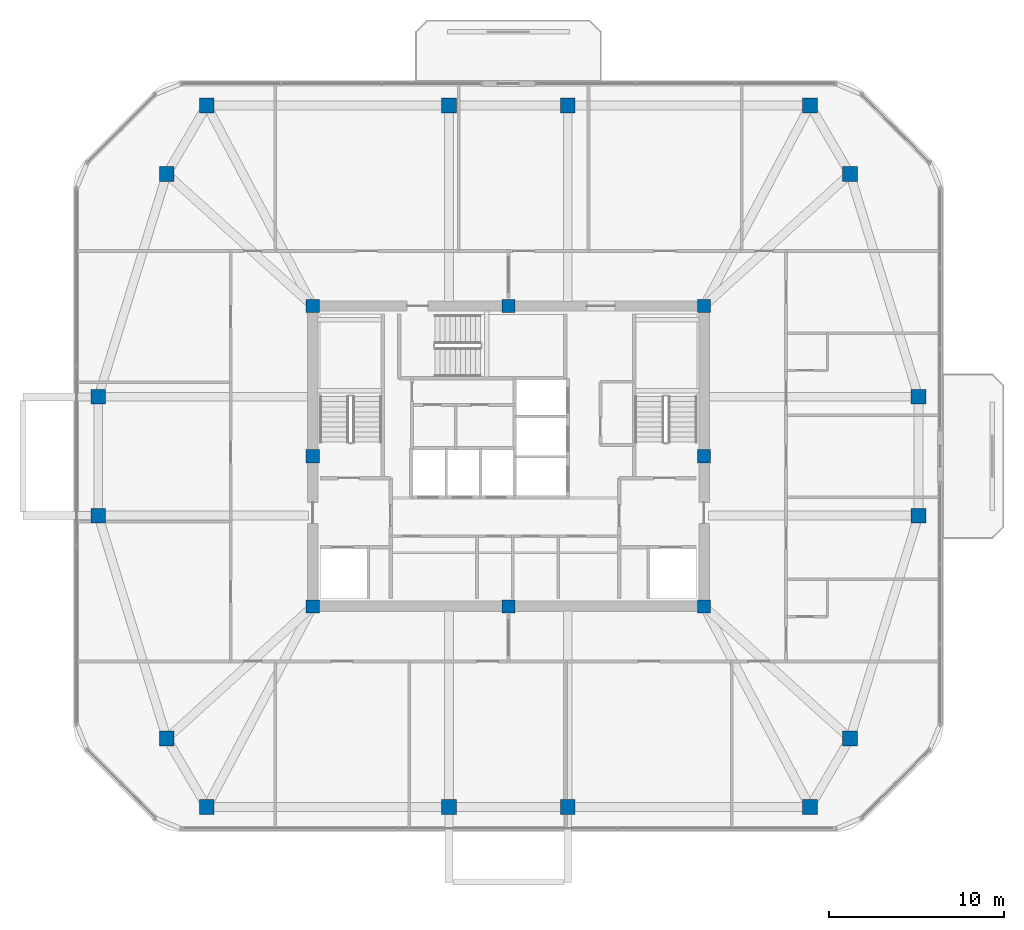
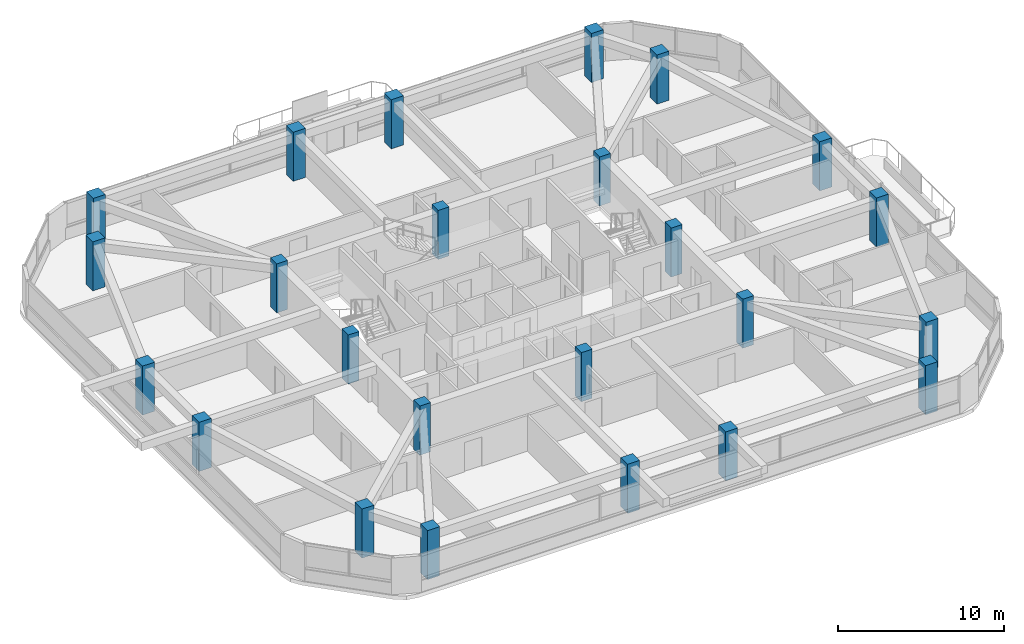
# One storey, part 1 of 14: 24 columns.
"""IFC4 building model written with IfcOpenShell, lengths in metres."""

from ifc_helpers import new_model, si_unit, derived_unit, direction, frame, origin, origin_2d, place, context, subcontext, project, spatial, rectangle, extrude, material, material_profile, profile_set, type_object, element, save


model = new_model("IFC4")

# Units and contexts
model_context = context("Model", 3, precision=1e-05, world=origin(), true_north=direction((0.0, 1.0)))
body_context = subcontext(model_context, "Body", "Model", "MODEL_VIEW")
ifc_project = project(units=[si_unit("LENGTHUNIT", "METRE"), si_unit("AREAUNIT", "SQUARE_METRE"), si_unit("VOLUMEUNIT", "CUBIC_METRE"), si_unit("PLANEANGLEUNIT", "RADIAN"), si_unit("MASSUNIT", "GRAM", prefix="KILO"), derived_unit("THERMALTRANSMITTANCEUNIT", [(si_unit("POWERUNIT", "WATT"), 1), (si_unit("LENGTHUNIT", "METRE"), -2), (si_unit("THERMODYNAMICTEMPERATUREUNIT", "KELVIN"), -1)])], contexts=[model_context])

# Site, building, storey
site_placement = place(None, origin())
site = spatial("IfcSite", under=ifc_project, at=site_placement, CompositionType="ELEMENT")
building_placement = place(site_placement, origin())
building = spatial("IfcBuilding", under=site, at=building_placement, Name="Koralith Skygarden Medical Center", CompositionType="ELEMENT")
storey_placement = place(building_placement, frame((0.0, 0.0, 260.820068359375)))
storey = spatial("IfcBuildingStorey", under=building, at=storey_placement, Name="L67", CompositionType="ELEMENT", Elevation=260.820068359375)

# Columns
ifc_material = material(Name="Concrete C55/67", Category="concrete")
ifc_material_profile_1 = material_profile(ifc_material, rectangle(XDim=0.760009765625, YDim=0.760009765625, at=origin_2d()), Name="RC760X760")
ifc_profile_set_1 = profile_set([ifc_material_profile_1], Name="Concrete C55/67")
column_type_1 = type_object("IfcColumnType", Name="Core Crown Column C55 RC760", PredefinedType="COLUMN", material=ifc_profile_set_1)
for number, where, z_axis, x_axis, name in (
    (1, (25.800048828125, 17.300048828125, 0.0), (0.0, 0.0, 1.0), (1.0, 0.0, 0.0), "L67 Core Column CC-01"),
    (2, (37.0, 17.300048828125, 0.0), (0.0, 0.0, 1.0), (1.0, 0.0, 0.0), "L67 Core Column CC-02"),
    (3, (48.199951171875, 17.300048828125, 0.0), (0.0, 0.0, 1.0), (1.0, 0.0, 0.0), "L67 Core Column CC-03"),
    (4, (48.199951171875, 25.89990234375, 0.0), (0.0, 0.0, 1.0), (1.0, 0.0, 0.0), "L67 Core Column CC-04"),
    (5, (48.199951171875, 34.5, 0.0), (0.0, 0.0, 1.0), (1.0, 0.0, 0.0), "L67 Core Column CC-05"),
    (6, (37.0, 34.5, 0.0), (0.0, 0.0, 1.0), (1.0, 0.0, 0.0), "L67 Core Column CC-06"),
    (7, (25.800048828125, 34.5, 0.0), (0.0, 0.0, 1.0), (1.0, 0.0, 0.0), "L67 Core Column CC-07"),
    (8, (25.800048828125, 25.89990234375, 0.0), (0.0, 0.0, 1.0), (1.0, 0.0, 0.0), "L67 Core Column CC-08"),
):
    element("IfcColumn", number, at=place(storey_placement, frame(where, z_axis=z_axis, x_axis=x_axis)), inside=storey, type_object=column_type_1, Name=name, PredefinedType="COLUMN", context=body_context, shape_type="SweptSolid", body=[
        extrude(rectangle(XDim=0.760009765625, YDim=0.760009765625, at=origin_2d()), origin(), (0.0, 0.0, 1.0), 3.599853515625),
    ])
ifc_material_profile_2 = material_profile(ifc_material, rectangle(XDim=0.840087890625, YDim=0.840087890625, at=origin_2d()), Name="RC840X840")
ifc_profile_set_2 = profile_set([ifc_material_profile_2], Name="Concrete C55/67")
column_type_2 = type_object("IfcColumnType", Name="Zone 5 Upper Mega-Column C55 RC840", PredefinedType="COLUMN", material=ifc_profile_set_2)
for number, where, z_axis, x_axis, name in (
    (9, (13.52001953125, 22.5, 0.0), (0.0, 0.0, 1.0), (1.0, 0.0, 0.0), "L67 Perimeter Mega-Column MC-01"),
    (10, (17.43994140625, 9.739990234375, 0.0), (0.0, 0.0, 1.0), (1.0, 0.0, 0.0), "L67 Perimeter Mega-Column MC-02"),
    (11, (19.73193359375, 5.820068359375, 0.0), (0.0, 0.0, 1.0), (1.0, 0.0, 0.0), "L67 Perimeter Mega-Column MC-03"),
    (12, (33.60009765625, 5.820068359375, 0.0), (0.0, 0.0, 1.0), (1.0, 0.0, 0.0), "L67 Perimeter Mega-Column MC-04"),
    (13, (40.39990234375, 5.820068359375, 0.0), (0.0, 0.0, 1.0), (1.0, 0.0, 0.0), "L67 Perimeter Mega-Column MC-05"),
    (14, (54.26806640625, 5.820068359375, 0.0), (0.0, 0.0, 1.0), (1.0, 0.0, 0.0), "L67 Perimeter Mega-Column MC-06"),
    (15, (56.56005859375, 9.739990234375, 0.0), (0.0, 0.0, 1.0), (1.0, 0.0, 0.0), "L67 Perimeter Mega-Column MC-07"),
    (16, (60.47998046875, 22.5, 0.0), (0.0, 0.0, 1.0), (1.0, 0.0, 0.0), "L67 Perimeter Mega-Column MC-08"),
    (17, (60.47998046875, 29.300048828125, 0.0), (0.0, 0.0, 1.0), (1.0, 0.0, 0.0), "L67 Perimeter Mega-Column MC-09"),
    (18, (56.56005859375, 42.06005859375, 0.0), (0.0, 0.0, 1.0), (1.0, 0.0, 0.0), "L67 Perimeter Mega-Column MC-10"),
    (19, (54.26806640625, 45.97998046875, 0.0), (0.0, 0.0, 1.0), (1.0, 0.0, 0.0), "L67 Perimeter Mega-Column MC-11"),
    (20, (40.39990234375, 45.97998046875, 0.0), (0.0, 0.0, 1.0), (1.0, 0.0, 0.0), "L67 Perimeter Mega-Column MC-12"),
    (21, (33.60009765625, 45.97998046875, 0.0), (0.0, 0.0, 1.0), (1.0, 0.0, 0.0), "L67 Perimeter Mega-Column MC-13"),
    (22, (19.73193359375, 45.97998046875, 0.0), (0.0, 0.0, 1.0), (1.0, 0.0, 0.0), "L67 Perimeter Mega-Column MC-14"),
    (23, (17.43994140625, 42.06005859375, 0.0), (0.0, 0.0, 1.0), (1.0, 0.0, 0.0), "L67 Perimeter Mega-Column MC-15"),
    (24, (13.52001953125, 29.300048828125, 0.0), (0.0, 0.0, 1.0), (1.0, 0.0, 0.0), "L67 Perimeter Mega-Column MC-16"),
):
    element("IfcColumn", number, at=place(storey_placement, frame(where, z_axis=z_axis, x_axis=x_axis)), inside=storey, type_object=column_type_2, Name=name, PredefinedType="COLUMN", context=body_context, shape_type="SweptSolid", body=[
        extrude(rectangle(XDim=0.840087890625, YDim=0.840087890625, at=origin_2d()), origin(), (0.0, 0.0, 1.0), 3.599853515625),
    ])

save(model, "model.ifc")
